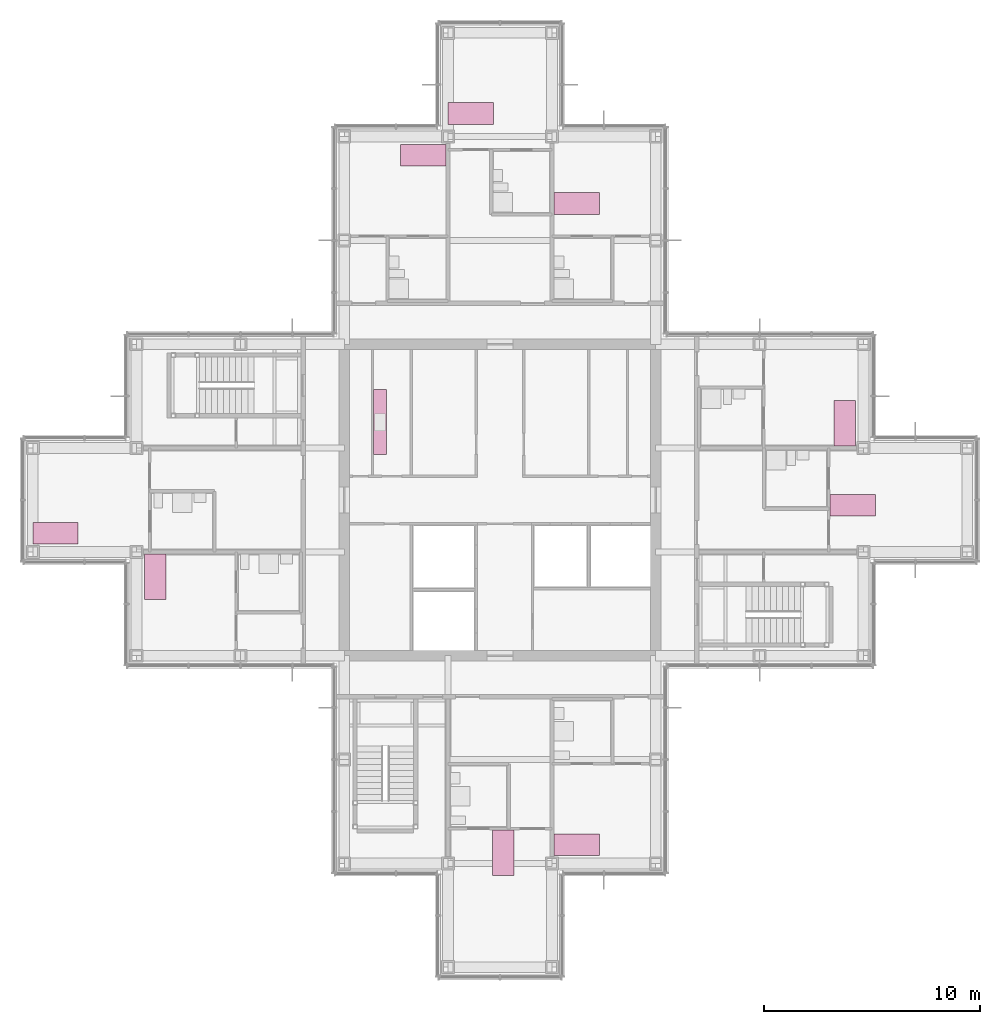
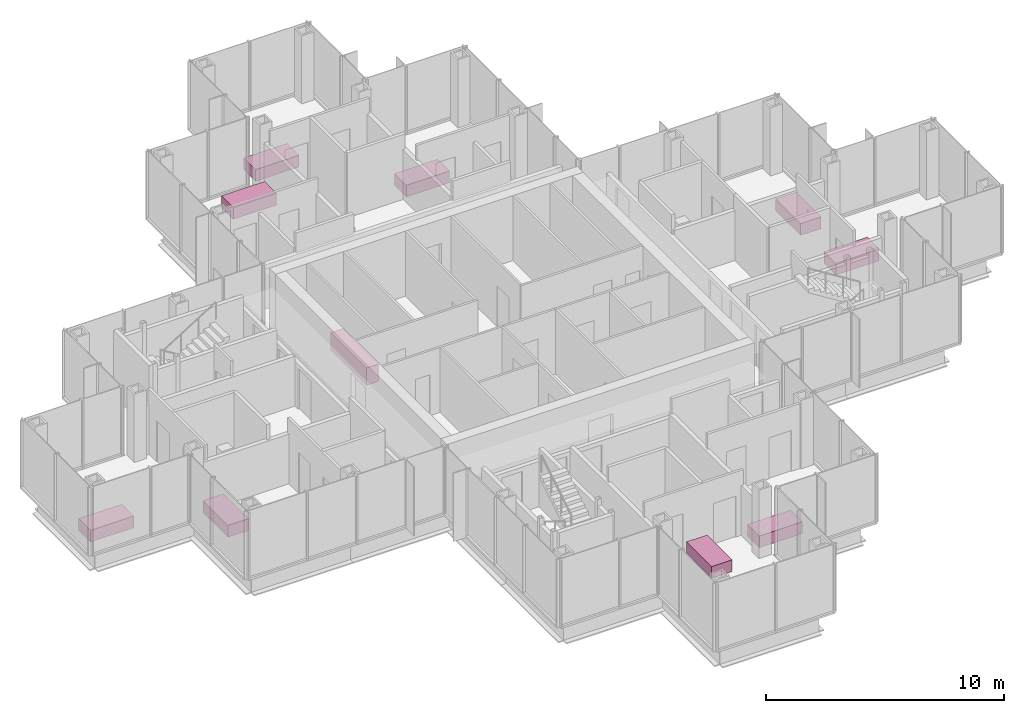
# One storey, part 17 of 17: 10 furniture elements.
"""IFC4 building model written with IfcOpenShell, lengths in metres."""

from ifc_helpers import new_model, si_unit, direction, frame, origin, origin_2d, place, context, subcontext, project, spatial, rectangle, extrude, material, type_object, element, save


model = new_model("IFC4")

# Units and contexts
model_context = context("Model", 3, precision=1e-05, world=origin(), true_north=direction((0.0, 1.0)))
body_context = subcontext(model_context, "Body", "Model", "MODEL_VIEW")
ifc_project = project(units=[si_unit("LENGTHUNIT", "METRE"), si_unit("AREAUNIT", "SQUARE_METRE"), si_unit("VOLUMEUNIT", "CUBIC_METRE"), si_unit("PLANEANGLEUNIT", "RADIAN"), si_unit("MASSUNIT", "GRAM", prefix="KILO")], contexts=[model_context])

# Site, building, storey
site_placement = place(None, origin())
site = spatial("IfcSite", under=ifc_project, at=site_placement, CompositionType="ELEMENT")
building_placement = place(site_placement, origin())
building = spatial("IfcBuilding", under=site, at=building_placement, Name="Kvirike Care Tower", CompositionType="ELEMENT")
storey_placement = place(building_placement, frame((0.0, 0.0, 179.5)))
storey = spatial("IfcBuildingStorey", under=building, at=storey_placement, Name="L49", CompositionType="ELEMENT", Elevation=179.5)

# Furniture
ifc_material_1 = material(Name="Steel frame", Category="steel")
furniture_type_1 = type_object("IfcFurnitureType", Name="CARE BED 1000 x 2100", AssemblyPlace="FACTORY", PredefinedType="BED", material=ifc_material_1)
for number, where, z_axis, x_axis, name in (
    (1, (1.052001953125, 34.469970703125, 0.0), (0.0, 0.0, 1.0), (0.0, 1.0, 0.0), "Care bed L49-005"),
    (2, (5.669921875, 32.447998046875, 0.0), (0.0, 0.0, 1.0), (1.0, 0.0, 0.0), "Care bed L49-008"),
    (3, (21.75, 19.68798828125, 0.0), (0.0, 0.0, 1.0), (1.0, 0.0, 0.0), "Care bed L49-014"),
    (4, (25.152099609375, 20.070068359375, 0.0), (0.0, 0.0, 1.0), (0.0, 1.0, 0.0), "Care bed L49-017"),
    (5, (25.152099609375, 49.7099609375, 0.0), (0.0, 0.0, 1.0), (0.0, 1.0, 0.0), "Care bed L49-021"),
    (6, (20.251953125, 53.8701171875, 0.0), (0.0, 0.0, 1.0), (0.0, 1.0, 0.0), "Care bed L49-024"),
    (7, (18.048095703125, 51.929931640625, 0.0), (0.0, 0.0, 1.0), (0.0, -1.0, 0.0), "Care bed L49-027"),
    (8, (37.912109375, 35.75, 0.0), (0.0, 0.0, 1.0), (0.0, 1.0, 0.0), "Care bed L49-034"),
    (9, (37.530029296875, 39.552001953125, 0.0), (0.0, 0.0, 1.0), (-1.0, 0.0, 0.0), "Care bed L49-037"),
):
    element("IfcFurniture", number, at=place(storey_placement, frame(where, z_axis=z_axis, x_axis=x_axis)), inside=storey, type_object=furniture_type_1, Name=name, PredefinedType="BED", context=body_context, shape_type="SweptSolid", body=[
        extrude(rectangle(XDim=1.0, YDim=2.10009765625, at=origin_2d()), origin(), (0.0, 0.0, 1.0), 0.60009765625),
    ])
ifc_material_2 = material(Name="Laminated board", Category="wood")
furniture_type_2 = type_object("IfcFurnitureType", Name="KITCHEN UNIT RUN 600", AssemblyPlace="FACTORY", PredefinedType="USERDEFINED", material=ifc_material_2)
furniture_placement = place(storey_placement, frame((16.052001953125, 39.60009765625, 0.0), z_axis=(0.0, 0.0, 1.0), x_axis=(0.0, 1.0, 0.0)))
element("IfcFurniture", 10, at=furniture_placement, inside=storey, type_object=furniture_type_2, Name="Kitchen unit run L49-046", ObjectType="KITCHEN UNIT", PredefinedType="USERDEFINED", context=body_context, shape_type="SweptSolid", body=[
    extrude(rectangle(XDim=3.0, YDim=0.60009765625, at=origin_2d()), origin(), (0.0, 0.0, 1.0), 0.89990234375),
])

save(model, "model.ifc")
